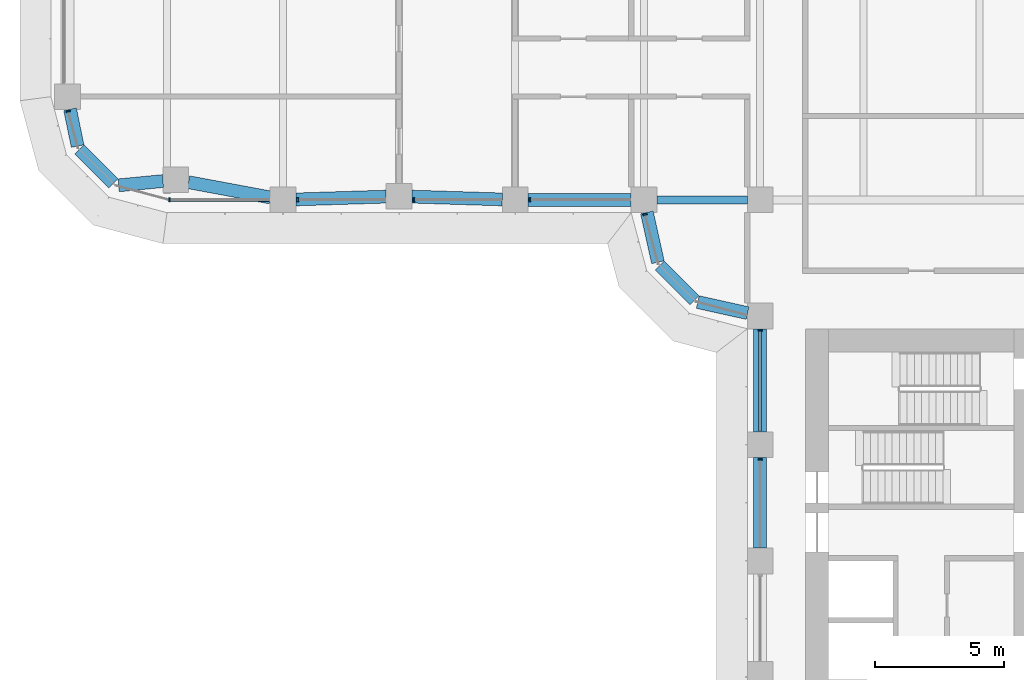
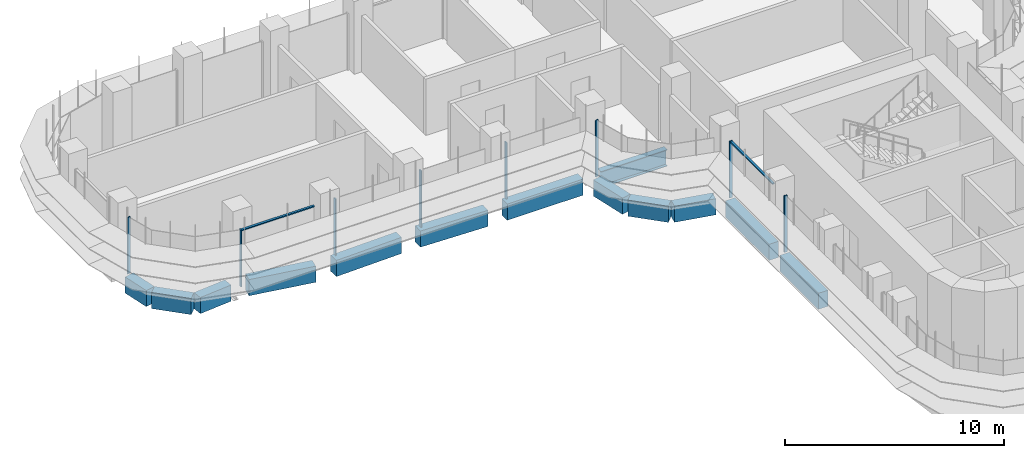
# One storey, part 3 of 23: 13 beams, 10 members, 4 elements without a shape of their own.
"""IFC4 building model written with IfcOpenShell, lengths in metres."""

from ifc_helpers import new_model, si_unit, direction, frame, origin, origin_2d, place, context, subcontext, project, spatial, polyline, rectangle, i_section, outline, extrude, source, transform, mapped, material, material_profile, profile_set, type_object, element, aggregate, save


model = new_model("IFC4")

# Units and contexts
model_context = context("Model", 3, precision=1e-05, world=origin(), true_north=direction((0.0, 1.0)))
body_context = subcontext(model_context, "Body", "Model", "MODEL_VIEW")
ifc_project = project(units=[si_unit("LENGTHUNIT", "METRE"), si_unit("AREAUNIT", "SQUARE_METRE"), si_unit("VOLUMEUNIT", "CUBIC_METRE"), si_unit("PLANEANGLEUNIT", "RADIAN"), si_unit("MASSUNIT", "GRAM", prefix="KILO")], contexts=[model_context])

# Site, building, storey
site_placement = place(None, origin())
site = spatial("IfcSite", under=ifc_project, at=site_placement, CompositionType="ELEMENT")
building_placement = place(site_placement, origin())
building = spatial("IfcBuilding", under=site, at=building_placement, Name="Zarbagh Exchange Tower", CompositionType="ELEMENT")
storey_placement = place(building_placement, frame((0.0, 0.0, 35.39990234375)))
storey = spatial("IfcBuildingStorey", under=building, at=storey_placement, Name="L07", CompositionType="ELEMENT", Elevation=35.39990234375)

# Beams
ifc_material_1 = material(Name="Steel ASTM A992 Gr 50", Category="steel")
ifc_material_profile_1 = material_profile(ifc_material_1, i_section(OverallWidth=0.3046875, OverallDepth=0.91943359375, WebThickness=0.017333984375, FlangeThickness=0.02783203125, at=origin_2d()), Name="W36X170")
ifc_profile_set_1 = profile_set([ifc_material_profile_1], Name="Steel ASTM A992 Gr 50")
beam_type_1 = type_object("IfcBeamType", Name="Floor girder W36X170", PredefinedType="BEAM", material=ifc_profile_set_1)
beam_1_placement = place(storey_placement, frame((-10.25, -6.25, -0.609619140625), z_axis=(1.0, 0.0, 0.0), x_axis=(0.0, 1.0, 0.0)))
element("IfcBeam", 1, at=beam_1_placement, inside=storey, type_object=beam_type_1, Name="Steel girder", PredefinedType="BEAM", context=body_context, shape_type="SweptSolid", body=[
    extrude(i_section(OverallWidth=0.3046875, OverallDepth=0.91943359375, WebThickness=0.017333984375, FlangeThickness=0.02783203125, at=origin_2d()), origin(), (0.0, 0.0, 1.0), 3.5),
])
ifc_material_2 = material(Name="Concrete C60/75", Category="concrete")
ifc_material_profile_2 = material_profile(ifc_material_2, rectangle(XDim=0.5, YDim=0.89990234375, at=origin_2d()), Name="RC spandrel beam 500 x 900 C60/75")
ifc_profile_set_2 = profile_set([ifc_material_profile_2], Name="Concrete C60/75")
beam_type_2 = type_object("IfcBeamType", Name="RC spandrel beam 500 x 900 C60/75", PredefinedType="SPANDREL", material=ifc_profile_set_2)
beam_2_placement = place(storey_placement, frame((-6.25, -19.75, -0.599853515625), z_axis=(0.0, 1.0, 0.0), x_axis=(-1.0, 0.0, 0.0)))
element("IfcBeam", 2, at=beam_2_placement, inside=storey, type_object=beam_type_2, Name="RC spandrel beam", PredefinedType="SPANDREL", context=body_context, shape_type="SweptSolid", body=[
    extrude(rectangle(XDim=0.5, YDim=0.89990234375, at=origin_2d()), origin(), (0.0, 0.0, 1.0), 3.5),
])
beam_3_placement = place(storey_placement, frame((-6.25, -15.25, -0.599853515625), z_axis=(0.0, 1.0, 0.0), x_axis=(-1.0, 0.0, 0.0)))
element("IfcBeam", 3, at=beam_3_placement, inside=storey, type_object=beam_type_2, Name="RC spandrel beam", PredefinedType="SPANDREL", context=body_context, shape_type="SweptSolid", body=[
    extrude(rectangle(XDim=0.5, YDim=0.89990234375, at=origin_2d()), origin(), (0.0, 0.0, 1.0), 4.0),
])
beam_4_placement = place(storey_placement, frame((-6.73828125, -10.64208984375, -0.599853515625), z_axis=(-0.976375426825, 0.216081063242, 0.0), x_axis=(-0.216081063242, -0.976375426825, 0.0)))
element("IfcBeam", 4, at=beam_4_placement, inside=storey, type_object=beam_type_2, Name="RC spandrel beam", PredefinedType="SPANDREL", context=body_context, shape_type="SweptSolid", body=[
    extrude(rectangle(XDim=0.5, YDim=0.89990234375, at=origin_2d()), origin(), (0.0, 0.0, 1.0), 1.978271484375),
])
beam_5_placement = place(storey_placement, frame((-8.792724609375, -10.147216796875, -0.599853515625), z_axis=(-0.707106781187, 0.707106781187, 0.0), x_axis=(-0.707106781187, -0.707106781187, 0.0)))
element("IfcBeam", 5, at=beam_5_placement, inside=storey, type_object=beam_type_2, Name="RC spandrel beam", PredefinedType="SPANDREL", context=body_context, shape_type="SweptSolid", body=[
    extrude(rectangle(XDim=0.5, YDim=0.89990234375, at=origin_2d()), origin(), (0.0, 0.0, 1.0), 1.91552734375),
])
beam_6_placement = place(storey_placement, frame((-10.214599609375, -8.669921875, -0.599853515625), z_axis=(-0.216081063242, 0.976375426825, 0.0), x_axis=(-0.976375426825, -0.216081063242, 0.0)))
element("IfcBeam", 6, at=beam_6_placement, inside=storey, type_object=beam_type_2, Name="RC spandrel beam", PredefinedType="SPANDREL", context=body_context, shape_type="SweptSolid", body=[
    extrude(rectangle(XDim=0.5, YDim=0.89990234375, at=origin_2d()), origin(), (0.0, 0.0, 1.0), 1.978271484375),
])
beam_7_placement = place(storey_placement, frame((-11.25, -6.25, -0.599853515625), z_axis=(-1.0, 0.0, 0.0), x_axis=(0.0, -1.0, 0.0)))
element("IfcBeam", 7, at=beam_7_placement, inside=storey, type_object=beam_type_2, Name="RC spandrel beam", PredefinedType="SPANDREL", context=body_context, shape_type="SweptSolid", body=[
    extrude(rectangle(XDim=0.5, YDim=0.89990234375, at=origin_2d()), origin(), (0.0, 0.0, 1.0), 4.0),
])
for number, where, z_axis, x_axis, name in (
    (8, (-16.249755859375, -6.234619140625, -0.599853515625), (-0.999514385708, 0.031160756759, 0.0), (-0.031160756759, -0.999514385708, 0.0), "RC spandrel beam"),
    (9, (-20.749755859375, -6.12548828125, -0.599853515625), (-0.999514385708, -0.031160756759, 0.0), (0.031160756759, -0.999514385708, 0.0), "RC spandrel beam"),
):
    element("IfcBeam", number, at=place(storey_placement, frame(where, z_axis=z_axis, x_axis=x_axis)), inside=storey, type_object=beam_type_2, Name=name, PredefinedType="SPANDREL", context=body_context, shape_type="SweptSolid", body=[
        extrude(rectangle(XDim=0.5, YDim=0.89990234375, at=origin_2d()), origin(), (0.0, 0.0, 1.0), 3.502197265625),
    ])
beam_8_placement = place(storey_placement, frame((-25.241455078125, -6.158447265625, -0.599853515625), z_axis=(-0.983069300761, 0.183234139565, 0.0), x_axis=(-0.183234139565, -0.983069300761, 0.0)))
element("IfcBeam", 10, at=beam_8_placement, inside=storey, type_object=beam_type_2, Name="RC spandrel beam", PredefinedType="SPANDREL", context=body_context, shape_type="SweptSolid", body=[
    extrude(rectangle(XDim=0.5, YDim=0.89990234375, at=origin_2d()), origin(), (0.0, 0.0, 1.0), 3.229736328125),
])
beam_9_placement = place(storey_placement, frame((-29.40576171875, -5.522705078125, -0.599853515625), z_axis=(-0.995431032456, -0.095483294999, 0.0), x_axis=(0.095483294999, -0.995431032456, 0.0)))
element("IfcBeam", 11, at=beam_9_placement, inside=storey, type_object=beam_type_2, Name="RC spandrel beam", PredefinedType="SPANDREL", context=body_context, shape_type="SweptSolid", body=[
    extrude(rectangle(XDim=0.5, YDim=0.89990234375, at=origin_2d()), origin(), (0.0, 0.0, 1.0), 1.725830078125),
])
beam_10_placement = place(storey_placement, frame((-31.324462890625, -5.615478515625, -0.599853515625), z_axis=(-0.707172099812, 0.707041456527, 0.0), x_axis=(-0.707041456527, -0.707172099812, 0.0)))
element("IfcBeam", 12, at=beam_10_placement, inside=storey, type_object=beam_type_2, Name="RC spandrel beam", PredefinedType="SPANDREL", context=body_context, shape_type="SweptSolid", body=[
    extrude(rectangle(XDim=0.5, YDim=0.89990234375, at=origin_2d()), origin(), (0.0, 0.0, 1.0), 1.86865234375),
])
beam_11_placement = place(storey_placement, frame((-32.714111328125, -4.16796875, -0.599853515625), z_axis=(-0.202068589164, 0.9793713725, 0.0), x_axis=(-0.9793713725, -0.202068589164, 0.0)))
element("IfcBeam", 13, at=beam_11_placement, inside=storey, type_object=beam_type_2, Name="RC spandrel beam", PredefinedType="SPANDREL", context=body_context, shape_type="SweptSolid", body=[
    extrude(rectangle(XDim=0.5, YDim=0.89990234375, at=origin_2d()), origin(), (0.0, 0.0, 1.0), 1.458251953125),
])

# Curtain wall, member
ifc_material_3 = material(Name="Anodised aluminium frame and glazing", Category="aluminium")
curtain_wall_type = type_object("IfcCurtainWallType", Name="CWA Ribbon glazing, lower zones", PredefinedType="NOTDEFINED", material=ifc_material_3)
curtain_wall_1_placement = place(storey_placement, origin())
curtain_wall_1 = element("IfcCurtainWall", 14, at=curtain_wall_1_placement, inside=storey, type_object=curtain_wall_type, Name="CWA37 curtain wall", PredefinedType="NOTDEFINED")
ifc_material_4 = material(Name="Anodised aluminium frame", Category="aluminium")
member_type_1 = type_object("IfcMemberType", Name="MUA Mullion, anodised aluminium frame", PredefinedType="MULLION", material=ifc_material_4)
shared_shape_1 = source(origin(), body_context, "Body", "SweptSolid", [
    extrude(outline(polyline([(0.0, -0.080078125), (0.06005859375, -0.080078125), (0.06005859375, 0.080078125), (0.0, 0.080078125), (0.0, -0.080078125)])), origin(), (0.0, 0.0, 1.0), 3.14990234375),
])
placement = place(storey_placement, origin())
member_1 = element("IfcMember", 15, at=placement, type_object=member_type_1, Name="CWA37 mullion 1.1", PredefinedType="MULLION", context=body_context, shape_type="MappedRepresentation", body=[
    mapped(shared_shape_1, transform((-33.087646484375, -2.7900390625, 0.0), x_axis=(0.258824779902, -0.965924289636, 0.0), y_axis=(0.965924289636, 0.258824779902, 0.0), z_axis=(0.0, 0.0, 1.0))),
])
aggregate(curtain_wall_1, [member_1])

# Curtain wall, members
curtain_wall_2_placement = place(storey_placement, origin())
curtain_wall_2 = element("IfcCurtainWall", 16, at=curtain_wall_2_placement, inside=storey, type_object=curtain_wall_type, Name="CWA40 curtain wall", PredefinedType="NOTDEFINED")
member_2 = element("IfcMember", 17, at=placement, type_object=member_type_1, Name="CWA40 mullion 1.1", PredefinedType="MULLION", context=body_context, shape_type="MappedRepresentation", body=[
    mapped(shared_shape_1, transform((-29.18408203125, -6.25, 0.0), x_axis=(1.0, 0.0, 0.0), y_axis=(0.0, 1.0, 0.0), z_axis=(0.0, 0.0, 1.0))),
])
member_3 = element("IfcMember", 18, at=placement, type_object=member_type_1, Name="CWA40 mullion 2.1", PredefinedType="MULLION", context=body_context, shape_type="MappedRepresentation", body=[
    mapped(shared_shape_1, transform((-24.2099609375, -6.25, 0.0), x_axis=(1.0, 0.0, 0.0), y_axis=(0.0, 1.0, 0.0), z_axis=(0.0, 0.0, 1.0))),
])
member_4 = element("IfcMember", 19, at=placement, type_object=member_type_1, Name="CWA40 mullion 3.1", PredefinedType="MULLION", context=body_context, shape_type="MappedRepresentation", body=[
    mapped(shared_shape_1, transform((-19.7099609375, -6.25, 0.0), x_axis=(1.0, 0.0, 0.0), y_axis=(0.0, 1.0, 0.0), z_axis=(0.0, 0.0, 1.0))),
])
member_5 = element("IfcMember", 20, at=placement, type_object=member_type_1, Name="CWA40 mullion 4.1", PredefinedType="MULLION", context=body_context, shape_type="MappedRepresentation", body=[
    mapped(shared_shape_1, transform((-15.2099609375, -6.25, 0.0), x_axis=(1.0, 0.0, 0.0), y_axis=(0.0, 1.0, 0.0), z_axis=(0.0, 0.0, 1.0))),
])

# Curtain wall, member
curtain_wall_3_placement = place(storey_placement, origin())
curtain_wall_3 = element("IfcCurtainWall", 21, at=curtain_wall_3_placement, inside=storey, type_object=curtain_wall_type, Name="CWA41 curtain wall", PredefinedType="NOTDEFINED")
member_6 = element("IfcMember", 22, at=placement, type_object=member_type_1, Name="CWA41 mullion 1.1", PredefinedType="MULLION", context=body_context, shape_type="MappedRepresentation", body=[
    mapped(shared_shape_1, transform((-10.7216796875, -6.7900390625, 0.0), x_axis=(0.258824779902, -0.965924289636, 0.0), y_axis=(0.965924289636, 0.258824779902, 0.0), z_axis=(0.0, 0.0, 1.0))),
])
aggregate(curtain_wall_3, [member_6])

# Curtain wall, members
curtain_wall_4_placement = place(storey_placement, origin())
curtain_wall_4 = element("IfcCurtainWall", 23, at=curtain_wall_4_placement, inside=storey, type_object=curtain_wall_type, Name="CWA44 curtain wall", PredefinedType="NOTDEFINED")
member_7 = element("IfcMember", 24, at=placement, type_object=member_type_1, Name="CWA44 mullion 1.1", PredefinedType="MULLION", context=body_context, shape_type="MappedRepresentation", body=[
    mapped(shared_shape_1, transform((-6.25, -11.2900390625, 0.0), x_axis=(0.0, -1.0, 0.0), y_axis=(1.0, 0.0, 0.0), z_axis=(0.0, 0.0, 1.0))),
])
member_8 = element("IfcMember", 25, at=placement, type_object=member_type_1, Name="CWA44 mullion 2.1", PredefinedType="MULLION", context=body_context, shape_type="MappedRepresentation", body=[
    mapped(shared_shape_1, transform((-6.25, -16.2900390625, 0.0), x_axis=(0.0, -1.0, 0.0), y_axis=(1.0, 0.0, 0.0), z_axis=(0.0, 0.0, 1.0))),
])
member_type_2 = type_object("IfcMemberType", Name="TRA Transom, anodised aluminium frame", PredefinedType="USERDEFINED", material=ifc_material_4)
shared_shape_2 = source(origin(), body_context, "Body", "SweptSolid", [
    extrude(outline(polyline([(-0.06005859375, -0.06005859375), (0.0, -0.06005859375), (0.0, 0.06005859375), (-0.06005859375, 0.06005859375), (-0.06005859375, -0.06005859375)])), origin(), (0.0, 0.0, 1.0), 3.860107421875),
])
member_9 = element("IfcMember", 26, at=placement, type_object=member_type_2, Name="CWA44 transom 1.1", ObjectType="TRANSOM", PredefinedType="USERDEFINED", context=body_context, shape_type="MappedRepresentation", body=[
    mapped(shared_shape_2, transform((-6.25, -11.35009765625, 3.150146484375), x_axis=(0.0, 0.0, 1.0), y_axis=(-1.0, 0.0, 0.0), z_axis=(0.0, -1.0, 0.0))),
])
aggregate(curtain_wall_4, [member_7, member_9, member_8])

# Member
shared_shape_3 = source(origin(), body_context, "Body", "SweptSolid", [
    extrude(outline(polyline([(-0.06005859375, -0.06005859375), (0.0, -0.06005859375), (0.0, 0.06005859375), (-0.06005859375, 0.06005859375), (-0.06005859375, -0.06005859375)])), origin(), (0.0, 0.0, 1.0), 3.834228515625),
])
member_10 = element("IfcMember", 27, at=placement, type_object=member_type_2, Name="CWA40 transom 1.1", ObjectType="TRANSOM", PredefinedType="USERDEFINED", context=body_context, shape_type="MappedRepresentation", body=[
    mapped(shared_shape_3, transform((-29.124267578125, -6.25, 3.150146484375), x_axis=(0.0, 0.0, 1.0), y_axis=(0.0, -1.0, 0.0), z_axis=(1.0, 0.0, 0.0))),
])

aggregate(curtain_wall_2, [member_2, member_10, member_3, member_4, member_5])

save(model, "model.ifc")
